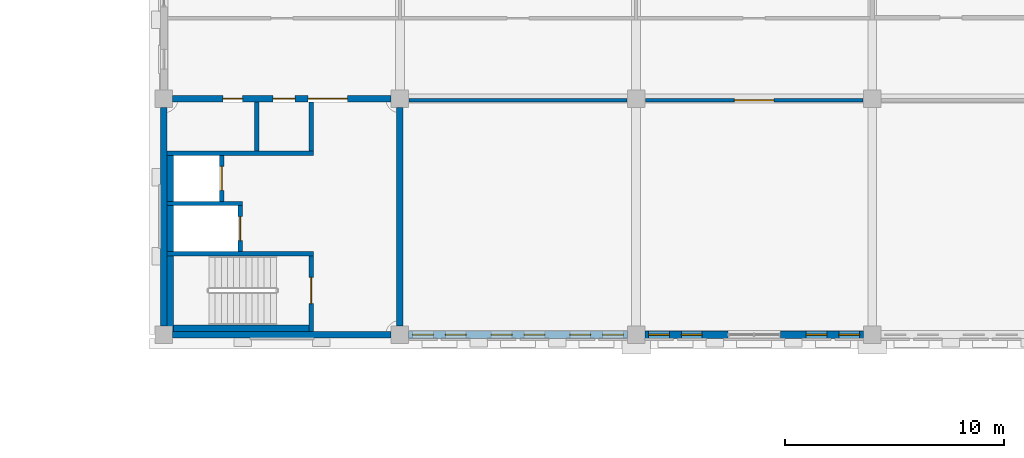
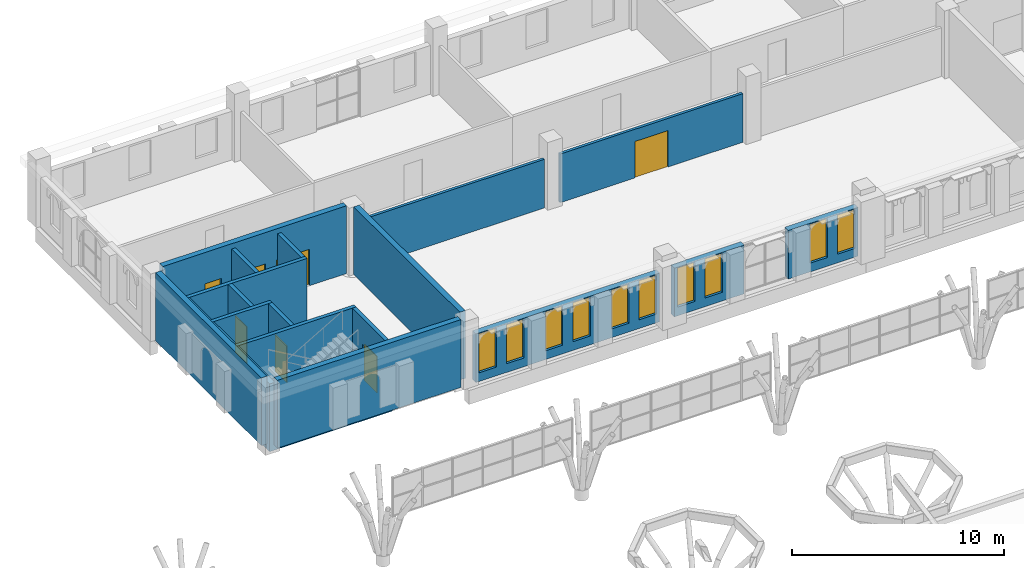
# One storey, part 32 of 42: 21 walls, 10 windows, 7 doors, 17 openings.
"""IFC4 building model written with IfcOpenShell, lengths in metres."""

from ifc_helpers import new_model, si_unit, direction, frame, frame_2d, origin, place, context, subcontext, project, spatial, rectangle, extrude, material, layer, layer_set, type_object, element, fill, save


model = new_model("IFC4")

# Units and contexts
model_context = context("Model", 3, precision=1e-05, world=origin(), true_north=direction((0.0, 1.0)))
body_context = subcontext(model_context, "Body", "Model", "MODEL_VIEW")
ifc_project = project(units=[si_unit("LENGTHUNIT", "METRE"), si_unit("AREAUNIT", "SQUARE_METRE"), si_unit("VOLUMEUNIT", "CUBIC_METRE"), si_unit("PLANEANGLEUNIT", "RADIAN"), si_unit("MASSUNIT", "GRAM", prefix="KILO")], contexts=[model_context])

# Site, building, storey
site_placement = place(None, origin())
site = spatial("IfcSite", under=ifc_project, at=site_placement, CompositionType="ELEMENT")
building_placement = place(site_placement, origin())
building = spatial("IfcBuilding", under=site, at=building_placement, Name="Magnolia Steps Interchange", CompositionType="ELEMENT")
storey_placement = place(building_placement, frame((0.0, 0.0, 12.60009765625)))
storey = spatial("IfcBuildingStorey", under=building, at=storey_placement, Name="L03", CompositionType="ELEMENT", Elevation=12.60009765625)

# Wall, opening, door
ifc_material_1 = material(Name="Concrete C35", Category="concrete")
ifc_layer_1 = layer(ifc_material_1, 0.199951171875)
ifc_layer_set_1 = layer_set([ifc_layer_1], Name="Core enclosure wall 200")
wall_type_1 = type_object("IfcWallType", Name="Core enclosure wall 200", PredefinedType="SOLIDWALL", material=ifc_layer_set_1)
wall_1_placement = place(storey_placement, frame((70.75, 96.550048828125, 0.0), z_axis=(0.0, 0.0, 1.0), x_axis=(0.0, 1.0, 0.0)))
wall_1 = element("IfcWall", 1, at=wall_1_placement, inside=storey, type_object=wall_type_1, Name="L03 OC-W enclosure wall", PredefinedType="SOLIDWALL", context=body_context, shape_type="SweptSolid", body=[
    extrude(rectangle(XDim=3.449951171875, YDim=0.199951171875, at=frame_2d((1.72509765625, 0.0))), origin(), (0.0, 0.0, 1.0), 3.599853515625),
])
opening_1_placement = place(wall_1_placement, frame((1.27490234375, 0.0, 0.0)))
opening_1 = element("IfcOpeningElement", 2, at=opening_1_placement, cuts=wall_1, Name="Opening D-OC-W-L03-1", PredefinedType="OPENING", context=body_context, shape_type="SweptSolid", body=[
    extrude(rectangle(XDim=1.199951171875, YDim=2.10009765625, at=frame_2d((0.60009765625, 1.050048828125))), frame((0.0, 0.10986328125, 0.0), z_axis=(0.0, -1.0, 0.0), x_axis=(1.0, 0.0, 0.0)), (0.0, 0.0, 1.0), 0.219970703125),
])
ifc_material_2 = material(Name="Painted steel", Category="steel")
door_type_1 = type_object("IfcDoorType", Name="Stair fire door 1200x2100", OperationType="NOTDEFINED", PredefinedType="DOOR", material=ifc_material_2)
door_1_placement = place(opening_1_placement, frame((1.199951171875, 0.0, 0.0), z_axis=(0.0, 0.0, 1.0), x_axis=(-1.0, 0.0, 0.0)))
door_1 = element("IfcDoor", 3, at=door_1_placement, inside=storey, type_object=door_type_1, Name="Stair door ST28 L03", OperationType="SINGLE_SWING_LEFT", OverallHeight=2.10009765625, OverallWidth=1.199951171875, PredefinedType="DOOR", context=body_context, shape_type="SweptSolid", body=[
    extrude(rectangle(XDim=1.199951171875, YDim=2.10009765625, at=frame_2d((0.60009765625, 1.050048828125))), frame((0.0, 0.02490234375, 0.0), z_axis=(0.0, -1.0, 0.0), x_axis=(1.0, 0.0, 0.0)), (0.0, 0.0, 1.0), 0.050048828125),
])
fill(opening_1, door_1)

# Wall
wall_2_placement = place(storey_placement, frame((70.85009765625, 100.10009765625, 0.0), z_axis=(0.0, 0.0, 1.0), x_axis=(-1.0, 0.0, 0.0)))
element("IfcWall", 4, at=wall_2_placement, inside=storey, type_object=wall_type_1, Name="L03 OC-W enclosure wall", PredefinedType="SOLIDWALL", context=body_context, shape_type="SweptSolid", body=[
    extrude(rectangle(XDim=6.7001953125, YDim=0.199951171875, at=frame_2d((3.35009765625, 0.0))), origin(), (0.0, 0.0, 1.0), 3.599853515625),
])

# Wall, opening, door
wall_3_placement = place(storey_placement, frame((67.5, 100.199951171875, 0.0), z_axis=(0.0, 0.0, 1.0), x_axis=(0.0, 1.0, 0.0)))
wall_3 = element("IfcWall", 5, at=wall_3_placement, inside=storey, type_object=wall_type_1, Name="L03 OC-W enclosure wall", PredefinedType="SOLIDWALL", context=body_context, shape_type="SweptSolid", body=[
    extrude(rectangle(XDim=2.10009765625, YDim=0.199951171875, at=frame_2d((1.050048828125, 0.0))), origin(), (0.0, 0.0, 1.0), 3.599853515625),
])
opening_2_placement = place(wall_3_placement, frame((0.5, 0.0, 0.0)))
opening_2 = element("IfcOpeningElement", 6, at=opening_2_placement, cuts=wall_3, Name="Opening LD", PredefinedType="OPENING", context=body_context, shape_type="SweptSolid", body=[
    extrude(rectangle(XDim=1.10009765625, YDim=2.10009765625, at=frame_2d((0.550048828125, 1.050048828125))), frame((0.0, 0.10986328125, 0.0), z_axis=(0.0, -1.0, 0.0), x_axis=(1.0, 0.0, 0.0)), (0.0, 0.0, 1.0), 0.219970703125),
])
ifc_material_3 = material(Name="Stainless steel grade 304", Category="steel")
door_type_2 = type_object("IfcDoorType", Name="Lift landing door 1100x2100", OperationType="DOUBLE_DOOR_SLIDING", PredefinedType="DOOR", material=ifc_material_3)
door_2_placement = place(opening_2_placement, frame((1.10009765625, 0.0, 0.0), z_axis=(0.0, 0.0, 1.0), x_axis=(-1.0, 0.0, 0.0)))
door_2 = element("IfcDoor", 7, at=door_2_placement, inside=storey, type_object=door_type_2, Name="Lift landing door LF15 L03", OperationType="DOUBLE_DOOR_SLIDING", OverallHeight=2.10009765625, OverallWidth=1.10009765625, PredefinedType="DOOR", context=body_context, shape_type="SweptSolid", body=[
    extrude(rectangle(XDim=1.10009765625, YDim=2.10009765625, at=frame_2d((0.550048828125, 1.050048828125))), frame((0.0, 0.02490234375, 0.0), z_axis=(0.0, -1.0, 0.0), x_axis=(1.0, 0.0, 0.0)), (0.0, 0.0, 1.0), 0.050048828125),
])
fill(opening_2, door_2)

# Wall
wall_4_placement = place(storey_placement, frame((67.60009765625, 102.39990234375, 0.0), z_axis=(0.0, 0.0, 1.0), x_axis=(-1.0, 0.0, 0.0)))
element("IfcWall", 8, at=wall_4_placement, inside=storey, type_object=wall_type_1, Name="L03 OC-W enclosure wall", PredefinedType="SOLIDWALL", context=body_context, shape_type="SweptSolid", body=[
    extrude(rectangle(XDim=3.4501953125, YDim=0.199951171875, at=frame_2d((1.72509765625, 0.0))), origin(), (0.0, 0.0, 1.0), 3.599853515625),
])

# Wall, opening, door
wall_5_placement = place(storey_placement, frame((66.64990234375, 102.5, 0.0), z_axis=(0.0, 0.0, 1.0), x_axis=(0.0, 1.0, 0.0)))
wall_5 = element("IfcWall", 9, at=wall_5_placement, inside=storey, type_object=wall_type_1, Name="L03 OC-W enclosure wall", PredefinedType="SOLIDWALL", context=body_context, shape_type="SweptSolid", body=[
    extrude(rectangle(XDim=2.10009765625, YDim=0.199951171875, at=frame_2d((1.050048828125, 0.0))), origin(), (0.0, 0.0, 1.0), 3.599853515625),
])
opening_3_placement = place(wall_5_placement, frame((0.5, 0.0, 0.0)))
opening_3 = element("IfcOpeningElement", 10, at=opening_3_placement, cuts=wall_5, Name="Opening LD", PredefinedType="OPENING", context=body_context, shape_type="SweptSolid", body=[
    extrude(rectangle(XDim=1.10009765625, YDim=2.10009765625, at=frame_2d((0.550048828125, 1.050048828125))), frame((0.0, 0.10986328125, 0.0), z_axis=(0.0, -1.0, 0.0), x_axis=(1.0, 0.0, 0.0)), (0.0, 0.0, 1.0), 0.219970703125),
])
door_3_placement = place(opening_3_placement, frame((1.10009765625, 0.0, 0.0), z_axis=(0.0, 0.0, 1.0), x_axis=(-1.0, 0.0, 0.0)))
door_3 = element("IfcDoor", 11, at=door_3_placement, inside=storey, type_object=door_type_2, Name="Lift landing door LF16 L03", OperationType="DOUBLE_DOOR_SLIDING", OverallHeight=2.10009765625, OverallWidth=1.10009765625, PredefinedType="DOOR", context=body_context, shape_type="SweptSolid", body=[
    extrude(rectangle(XDim=1.10009765625, YDim=2.10009765625, at=frame_2d((0.550048828125, 1.050048828125))), frame((0.0, 0.02490234375, 0.0), z_axis=(0.0, -1.0, 0.0), x_axis=(1.0, 0.0, 0.0)), (0.0, 0.0, 1.0), 0.050048828125),
])
fill(opening_3, door_3)

# Walls
wall_6_placement = place(storey_placement, frame((70.85009765625, 104.699951171875, 0.0), z_axis=(0.0, 0.0, 1.0), x_axis=(-1.0, 0.0, 0.0)))
element("IfcWall", 12, at=wall_6_placement, inside=storey, type_object=wall_type_1, Name="L03 OC-W enclosure wall", PredefinedType="SOLIDWALL", context=body_context, shape_type="SweptSolid", body=[
    extrude(rectangle(XDim=6.7001953125, YDim=0.199951171875, at=frame_2d((3.35009765625, 0.0))), origin(), (0.0, 0.0, 1.0), 3.599853515625),
])
wall_7_placement = place(storey_placement, frame((70.75, 104.800048828125, 0.0), z_axis=(0.0, 0.0, 1.0), x_axis=(0.0, 1.0, 0.0)))
element("IfcWall", 13, at=wall_7_placement, inside=storey, type_object=wall_type_1, Name="L03 OC-W enclosure wall", PredefinedType="SOLIDWALL", context=body_context, shape_type="SweptSolid", body=[
    extrude(rectangle(XDim=2.25, YDim=0.199951171875, at=frame_2d((1.125, 0.0))), origin(), (0.0, 0.0, 1.0), 3.599853515625),
])
ifc_material_4 = material(Name="Concrete C35", Category="concrete")
ifc_layer_2 = layer(ifc_material_4, 0.300048828125)
ifc_layer_set_2 = layer_set([ifc_layer_2], Name="Core lining wall 300")
wall_type_2 = type_object("IfcWallType", Name="Core lining wall 300", PredefinedType="SOLIDWALL", material=ifc_layer_set_2)
wall_8_placement = place(storey_placement, frame((70.85009765625, 96.699951171875, -0.300048828125), z_axis=(0.0, 0.0, 1.0), x_axis=(-1.0, 0.0, 0.0)))
element("IfcWall", 14, at=wall_8_placement, inside=storey, type_object=wall_type_2, Name="L03 OC-W stair lining wall", PredefinedType="SOLIDWALL", context=body_context, shape_type="SweptSolid", body=[
    extrude(rectangle(XDim=6.7001953125, YDim=0.300048828125, at=frame_2d((3.35009765625, 0.0))), origin(), (0.0, 0.0, 1.0), 3.89990234375),
])
wall_9_placement = place(storey_placement, frame((64.300048828125, 96.550048828125, -0.300048828125), z_axis=(0.0, 0.0, 1.0), x_axis=(0.0, 1.0, 0.0)))
element("IfcWall", 15, at=wall_9_placement, inside=storey, type_object=wall_type_2, Name="L03 OC-W stair lining wall", PredefinedType="SOLIDWALL", context=body_context, shape_type="SweptSolid", body=[
    extrude(rectangle(XDim=3.449951171875, YDim=0.300048828125, at=frame_2d((1.72509765625, 0.0))), origin(), (0.0, 0.0, 1.0), 3.89990234375),
])
for number, where, z_axis, x_axis, name in (
    (16, (64.300048828125, 100.199951171875, -0.300048828125), (0.0, 0.0, 1.0), (0.0, 1.0, 0.0), "L03 OC-W stair lining wall"),
    (17, (64.300048828125, 102.5, -0.300048828125), (0.0, 0.0, 1.0), (0.0, 1.0, 0.0), "L03 OC-W stair lining wall"),
):
    element("IfcWall", number, at=place(storey_placement, frame(where, z_axis=z_axis, x_axis=x_axis)), inside=storey, type_object=wall_type_2, Name=name, PredefinedType="SOLIDWALL", context=body_context, shape_type="SweptSolid", body=[
        extrude(rectangle(XDim=2.10009765625, YDim=0.300048828125, at=frame_2d((1.050048828125, 0.0))), origin(), (0.0, 0.0, 1.0), 3.89990234375),
    ])
ifc_material_5 = material(Name="Fair-faced blockwork", Category="masonry")
ifc_layer_3 = layer(ifc_material_5, 0.199951171875)
ifc_layer_set_3 = layer_set([ifc_layer_3], Name="Core partition 200")
wall_type_3 = type_object("IfcWallType", Name="Core partition 200", PredefinedType="PARTITIONING", material=ifc_layer_set_3)
wall_10_placement = place(storey_placement, frame((68.25, 104.800048828125, 0.0), z_axis=(0.0, 0.0, 1.0), x_axis=(0.0, 1.0, 0.0)))
element("IfcWall", 18, at=wall_10_placement, inside=storey, type_object=wall_type_3, Name="L03 OC-W toilet partition", PredefinedType="PARTITIONING", context=body_context, shape_type="SweptSolid", body=[
    extrude(rectangle(XDim=2.25, YDim=0.199951171875, at=frame_2d((1.125, 0.0))), origin(), (0.0, 0.0, 1.0), 3.599853515625),
])
ifc_material_6 = material(Name="Concrete C40", Category="concrete")
ifc_layer_4 = layer(ifc_material_6, 0.300048828125)
ifc_layer_set_4 = layer_set([ifc_layer_4], Name="Core wall 300")
wall_type_4 = type_object("IfcWallType", Name="Core wall 300", PredefinedType="SOLIDWALL", material=ifc_layer_set_4)
for number, where, z_axis, x_axis, name in (
    (19, (64.39990234375, 96.39990234375, 0.0), (0.0, 0.0, 1.0), (1.0, 0.0, 0.0), "Core wall OC-W"),
    (20, (74.800048828125, 96.800048828125, 0.0), (0.0, 0.0, 1.0), (0.0, 1.0, 0.0), "Core wall OC-W"),
):
    element("IfcWall", number, at=place(storey_placement, frame(where, z_axis=z_axis, x_axis=x_axis)), inside=storey, type_object=wall_type_4, Name=name, PredefinedType="SOLIDWALL", context=body_context, shape_type="SweptSolid", body=[
        extrude(rectangle(XDim=10.0, YDim=0.300048828125, at=frame_2d((5.0, 0.0))), origin(), (0.0, 0.0, 1.0), 3.89990234375),
    ])

# Wall, openings, doors
wall_11_placement = place(storey_placement, frame((74.39990234375, 107.199951171875, 0.0), z_axis=(0.0, 0.0, 1.0), x_axis=(-1.0, 0.0, 0.0)))
wall_11 = element("IfcWall", 21, at=wall_11_placement, inside=storey, type_object=wall_type_4, Name="Core wall OC-W", PredefinedType="SOLIDWALL", context=body_context, shape_type="SweptSolid", body=[
    extrude(rectangle(XDim=10.0, YDim=0.300048828125, at=frame_2d((5.0, 0.0))), origin(), (0.0, 0.0, 1.0), 3.89990234375),
])
opening_4_placement = place(wall_11_placement, frame((2.0, 0.0, 0.0)))
opening_4 = element("IfcOpeningElement", 22, at=opening_4_placement, cuts=wall_11, Name="Opening D-OC-W-L03-2", PredefinedType="OPENING", context=body_context, shape_type="SweptSolid", body=[
    extrude(rectangle(XDim=1.800048828125, YDim=2.10009765625, at=frame_2d((0.89990234375, 1.050048828125))), frame((0.0, 0.159912109375, 0.0), z_axis=(0.0, -1.0, 0.0), x_axis=(1.0, 0.0, 0.0)), (0.0, 0.0, 1.0), 0.320068359375),
])
opening_5_placement = place(wall_11_placement, frame((4.39990234375, 0.0, 0.0)))
opening_5 = element("IfcOpeningElement", 23, at=opening_5_placement, cuts=wall_11, Name="Opening D-OC-W-L03-3", PredefinedType="OPENING", context=body_context, shape_type="SweptSolid", body=[
    extrude(rectangle(XDim=1.0, YDim=2.10009765625, at=frame_2d((0.5, 1.050048828125))), frame((0.0, 0.159912109375, 0.0), z_axis=(0.0, -1.0, 0.0), x_axis=(1.0, 0.0, 0.0)), (0.0, 0.0, 1.0), 0.320068359375),
])
opening_6_placement = place(wall_11_placement, frame((6.800048828125, 0.0, 0.0)))
opening_6 = element("IfcOpeningElement", 24, at=opening_6_placement, cuts=wall_11, Name="Opening D-OC-W-L03-4", PredefinedType="OPENING", context=body_context, shape_type="SweptSolid", body=[
    extrude(rectangle(XDim=0.89990234375, YDim=2.10009765625, at=frame_2d((0.449951171875, 1.050048828125))), frame((0.0, 0.159912109375, 0.0), z_axis=(0.0, -1.0, 0.0), x_axis=(1.0, 0.0, 0.0)), (0.0, 0.0, 1.0), 0.320068359375),
])
ifc_material_7 = material(Name="Timber", Category="wood")
door_type_3 = type_object("IfcDoorType", Name="Accessible toilet door 1000x2100", OperationType="NOTDEFINED", PredefinedType="DOOR", material=ifc_material_7)
door_4_placement = place(opening_5_placement, origin())
door_4 = element("IfcDoor", 25, at=door_4_placement, inside=storey, type_object=door_type_3, Name="Accessible Toilet door OC-W L03", OperationType="SINGLE_SWING_LEFT", OverallHeight=2.10009765625, OverallWidth=1.0, PredefinedType="DOOR", context=body_context, shape_type="SweptSolid", body=[
    extrude(rectangle(XDim=1.0, YDim=2.10009765625, at=frame_2d((0.5, 1.050048828125))), frame((0.0, 0.02490234375, 0.0), z_axis=(0.0, -1.0, 0.0), x_axis=(1.0, 0.0, 0.0)), (0.0, 0.0, 1.0), 0.050048828125),
])
fill(opening_5, door_4)
ifc_material_8 = material(Name="Timber and glass", Category="wood")
door_type_4 = type_object("IfcDoorType", Name="Core entrance door pair 1800x2100", OperationType="DOUBLE_DOOR_DOUBLE_SWING", PredefinedType="DOOR", material=ifc_material_8)
door_5_placement = place(opening_4_placement, frame((1.800048828125, 0.0, 0.0), z_axis=(0.0, 0.0, 1.0), x_axis=(-1.0, 0.0, 0.0)))
door_5 = element("IfcDoor", 26, at=door_5_placement, inside=storey, type_object=door_type_4, Name="Core entrance door OC-W L03", OperationType="DOUBLE_DOOR_DOUBLE_SWING", OverallHeight=2.10009765625, OverallWidth=1.800048828125, PredefinedType="DOOR", context=body_context, shape_type="SweptSolid", body=[
    extrude(rectangle(XDim=1.800048828125, YDim=2.10009765625, at=frame_2d((0.89990234375, 1.050048828125))), frame((0.0, 0.02490234375, 0.0), z_axis=(0.0, -1.0, 0.0), x_axis=(1.0, 0.0, 0.0)), (0.0, 0.0, 1.0), 0.050048828125),
])
fill(opening_4, door_5)
ifc_material_9 = material(Name="Timber", Category="wood")
door_type_5 = type_object("IfcDoorType", Name="Toilet door 900x2100", OperationType="NOTDEFINED", PredefinedType="DOOR", material=ifc_material_9)
door_6_placement = place(opening_6_placement, origin())
door_6 = element("IfcDoor", 27, at=door_6_placement, inside=storey, type_object=door_type_5, Name="Public Toilets door OC-W L03", OperationType="SINGLE_SWING_RIGHT", OverallHeight=2.10009765625, OverallWidth=0.89990234375, PredefinedType="DOOR", context=body_context, shape_type="SweptSolid", body=[
    extrude(rectangle(XDim=0.89990234375, YDim=2.10009765625, at=frame_2d((0.449951171875, 1.050048828125))), frame((0.0, 0.02490234375, 0.0), z_axis=(0.0, -1.0, 0.0), x_axis=(1.0, 0.0, 0.0)), (0.0, 0.0, 1.0), 0.050048828125),
])
fill(opening_6, door_6)

# Wall
wall_12_placement = place(storey_placement, frame((64.0, 106.800048828125, 0.0), z_axis=(0.0, 0.0, 1.0), x_axis=(0.0, -1.0, 0.0)))
element("IfcWall", 28, at=wall_12_placement, inside=storey, type_object=wall_type_4, Name="Core wall OC-W", PredefinedType="SOLIDWALL", context=body_context, shape_type="SweptSolid", body=[
    extrude(rectangle(XDim=10.0, YDim=0.300048828125, at=frame_2d((5.0, 0.0))), origin(), (0.0, 0.0, 1.0), 3.89990234375),
])

# Wall, openings, windows
ifc_material_10 = material(Name="Lime render on masonry", Category="masonry")
ifc_layer_5 = layer(ifc_material_10, 0.324951171875)
ifc_layer_set_5 = layer_set([ifc_layer_5], Name="Lime render wall 325")
wall_type_5 = type_object("IfcWallType", Name="Lime render wall 325", PredefinedType="SOLIDWALL", material=ifc_layer_set_5)
wall_13_placement = place(storey_placement, frame((75.199951171875, 96.39990234375, 0.0), z_axis=(0.0, 0.0, 1.0), x_axis=(1.0, 0.0, 0.0)))
wall_13 = element("IfcWall", 29, at=wall_13_placement, inside=storey, type_object=wall_type_5, Name="Operations building south wall L03 pier 1", PredefinedType="SOLIDWALL", context=body_context, shape_type="SweptSolid", body=[
    extrude(rectangle(XDim=10.0, YDim=0.324951171875, at=frame_2d((5.0, 0.0))), origin(), (0.0, 0.0, 1.0), 2.7998046875),
])
opening_7_placement = place(wall_13_placement, frame((0.175048828125, 0.0, 0.5)))
opening_7 = element("IfcOpeningElement", 30, at=opening_7_placement, cuts=wall_13, Name="Opening WN13", PredefinedType="OPENING", context=body_context, shape_type="SweptSolid", body=[
    extrude(rectangle(XDim=0.949951171875, YDim=2.25, at=frame_2d((0.47509765625, 1.125))), frame((0.0, 0.17236328125, 0.0), z_axis=(0.0, -1.0, 0.0), x_axis=(1.0, 0.0, 0.0)), (0.0, 0.0, 1.0), 0.344970703125),
])
opening_8_placement = place(wall_13_placement, frame((3.77490234375, 0.0, 0.5)))
opening_8 = element("IfcOpeningElement", 31, at=opening_8_placement, cuts=wall_13, Name="Opening WN13", PredefinedType="OPENING", context=body_context, shape_type="SweptSolid", body=[
    extrude(rectangle(XDim=0.949951171875, YDim=2.25, at=frame_2d((0.47509765625, 1.125))), frame((0.0, 0.17236328125, 0.0), z_axis=(0.0, -1.0, 0.0), x_axis=(1.0, 0.0, 0.0)), (0.0, 0.0, 1.0), 0.344970703125),
])
opening_9_placement = place(wall_13_placement, frame((7.375, 0.0, 0.5)))
opening_9 = element("IfcOpeningElement", 32, at=opening_9_placement, cuts=wall_13, Name="Opening WN13", PredefinedType="OPENING", context=body_context, shape_type="SweptSolid", body=[
    extrude(rectangle(XDim=0.949951171875, YDim=2.25, at=frame_2d((0.47509765625, 1.125))), frame((0.0, 0.17236328125, 0.0), z_axis=(0.0, -1.0, 0.0), x_axis=(1.0, 0.0, 0.0)), (0.0, 0.0, 1.0), 0.344970703125),
])
opening_10_placement = place(wall_13_placement, frame((1.675048828125, 0.0, 0.5)))
opening_10 = element("IfcOpeningElement", 33, at=opening_10_placement, cuts=wall_13, Name="Opening WN13", PredefinedType="OPENING", context=body_context, shape_type="SweptSolid", body=[
    extrude(rectangle(XDim=0.949951171875, YDim=2.25, at=frame_2d((0.47509765625, 1.125))), frame((0.0, 0.17236328125, 0.0), z_axis=(0.0, -1.0, 0.0), x_axis=(1.0, 0.0, 0.0)), (0.0, 0.0, 1.0), 0.344970703125),
])
opening_11_placement = place(wall_13_placement, frame((5.27490234375, 0.0, 0.5)))
opening_11 = element("IfcOpeningElement", 34, at=opening_11_placement, cuts=wall_13, Name="Opening WN13", PredefinedType="OPENING", context=body_context, shape_type="SweptSolid", body=[
    extrude(rectangle(XDim=0.949951171875, YDim=2.25, at=frame_2d((0.47509765625, 1.125))), frame((0.0, 0.17236328125, 0.0), z_axis=(0.0, -1.0, 0.0), x_axis=(1.0, 0.0, 0.0)), (0.0, 0.0, 1.0), 0.344970703125),
])
opening_12_placement = place(wall_13_placement, frame((8.875, 0.0, 0.5)))
opening_12 = element("IfcOpeningElement", 35, at=opening_12_placement, cuts=wall_13, Name="Opening WN13", PredefinedType="OPENING", context=body_context, shape_type="SweptSolid", body=[
    extrude(rectangle(XDim=0.949951171875, YDim=2.25, at=frame_2d((0.47509765625, 1.125))), frame((0.0, 0.17236328125, 0.0), z_axis=(0.0, -1.0, 0.0), x_axis=(1.0, 0.0, 0.0)), (0.0, 0.0, 1.0), 0.344970703125),
])
ifc_material_11 = material(Name="Timber frame with double glazing", Category="wood")
window_type = type_object("IfcWindowType", Name="Paired piano nobile window 950 x 2250", PartitioningType="DOUBLE_PANEL_VERTICAL", PredefinedType="WINDOW", material=ifc_material_11)
window_1_placement = place(opening_7_placement, origin())
window_1 = element("IfcWindow", 36, at=window_1_placement, inside=storey, type_object=window_type, Name="Paired window L03 south 1a", OverallHeight=2.25, OverallWidth=0.949951171875, PartitioningType="SINGLE_PANEL", PredefinedType="WINDOW", context=body_context, shape_type="SweptSolid", body=[
    extrude(rectangle(XDim=0.949951171875, YDim=2.25, at=frame_2d((0.47509765625, 1.125))), frame((0.0, 0.030029296875, 0.0), z_axis=(0.0, -1.0, 0.0), x_axis=(1.0, 0.0, 0.0)), (0.0, 0.0, 1.0), 0.06005859375),
])
fill(opening_7, window_1)
window_2_placement = place(opening_8_placement, origin())
window_2 = element("IfcWindow", 37, at=window_2_placement, inside=storey, type_object=window_type, Name="Paired window L03 south 2a", OverallHeight=2.25, OverallWidth=0.949951171875, PartitioningType="SINGLE_PANEL", PredefinedType="WINDOW", context=body_context, shape_type="SweptSolid", body=[
    extrude(rectangle(XDim=0.949951171875, YDim=2.25, at=frame_2d((0.47509765625, 1.125))), frame((0.0, 0.030029296875, 0.0), z_axis=(0.0, -1.0, 0.0), x_axis=(1.0, 0.0, 0.0)), (0.0, 0.0, 1.0), 0.06005859375),
])
fill(opening_8, window_2)
window_3_placement = place(opening_9_placement, origin())
window_3 = element("IfcWindow", 38, at=window_3_placement, inside=storey, type_object=window_type, Name="Paired window L03 south 3a", OverallHeight=2.25, OverallWidth=0.949951171875, PartitioningType="SINGLE_PANEL", PredefinedType="WINDOW", context=body_context, shape_type="SweptSolid", body=[
    extrude(rectangle(XDim=0.949951171875, YDim=2.25, at=frame_2d((0.47509765625, 1.125))), frame((0.0, 0.030029296875, 0.0), z_axis=(0.0, -1.0, 0.0), x_axis=(1.0, 0.0, 0.0)), (0.0, 0.0, 1.0), 0.06005859375),
])
fill(opening_9, window_3)
window_4_placement = place(opening_10_placement, origin())
window_4 = element("IfcWindow", 39, at=window_4_placement, inside=storey, type_object=window_type, Name="Paired window L03 south 1b", OverallHeight=2.25, OverallWidth=0.949951171875, PartitioningType="SINGLE_PANEL", PredefinedType="WINDOW", context=body_context, shape_type="SweptSolid", body=[
    extrude(rectangle(XDim=0.949951171875, YDim=2.25, at=frame_2d((0.47509765625, 1.125))), frame((0.0, 0.030029296875, 0.0), z_axis=(0.0, -1.0, 0.0), x_axis=(1.0, 0.0, 0.0)), (0.0, 0.0, 1.0), 0.06005859375),
])
fill(opening_10, window_4)
window_5_placement = place(opening_11_placement, origin())
window_5 = element("IfcWindow", 40, at=window_5_placement, inside=storey, type_object=window_type, Name="Paired window L03 south 2b", OverallHeight=2.25, OverallWidth=0.949951171875, PartitioningType="SINGLE_PANEL", PredefinedType="WINDOW", context=body_context, shape_type="SweptSolid", body=[
    extrude(rectangle(XDim=0.949951171875, YDim=2.25, at=frame_2d((0.47509765625, 1.125))), frame((0.0, 0.030029296875, 0.0), z_axis=(0.0, -1.0, 0.0), x_axis=(1.0, 0.0, 0.0)), (0.0, 0.0, 1.0), 0.06005859375),
])
fill(opening_11, window_5)
window_6_placement = place(opening_12_placement, origin())
window_6 = element("IfcWindow", 41, at=window_6_placement, inside=storey, type_object=window_type, Name="Paired window L03 south 3b", OverallHeight=2.25, OverallWidth=0.949951171875, PartitioningType="SINGLE_PANEL", PredefinedType="WINDOW", context=body_context, shape_type="SweptSolid", body=[
    extrude(rectangle(XDim=0.949951171875, YDim=2.25, at=frame_2d((0.47509765625, 1.125))), frame((0.0, 0.030029296875, 0.0), z_axis=(0.0, -1.0, 0.0), x_axis=(1.0, 0.0, 0.0)), (0.0, 0.0, 1.0), 0.06005859375),
])
fill(opening_12, window_6)

wall_14_placement = place(storey_placement, frame((86.0, 96.39990234375, 0.0), z_axis=(0.0, 0.0, 1.0), x_axis=(1.0, 0.0, 0.0)))
wall_14 = element("IfcWall", 42, at=wall_14_placement, inside=storey, type_object=wall_type_5, Name="Operations building south wall L03 pier 1", PredefinedType="SOLIDWALL", context=body_context, shape_type="SweptSolid", body=[
    extrude(rectangle(XDim=3.800048828125, YDim=0.324951171875, at=frame_2d((1.89990234375, 0.0))), origin(), (0.0, 0.0, 1.0), 2.7998046875),
])
opening_13_placement = place(wall_14_placement, frame((0.175048828125, 0.0, 0.5)))
opening_13 = element("IfcOpeningElement", 43, at=opening_13_placement, cuts=wall_14, Name="Opening WN13", PredefinedType="OPENING", context=body_context, shape_type="SweptSolid", body=[
    extrude(rectangle(XDim=0.949951171875, YDim=2.25, at=frame_2d((0.47509765625, 1.125))), frame((0.0, 0.17236328125, 0.0), z_axis=(0.0, -1.0, 0.0), x_axis=(1.0, 0.0, 0.0)), (0.0, 0.0, 1.0), 0.344970703125),
])
opening_14_placement = place(wall_14_placement, frame((1.675048828125, 0.0, 0.5)))
opening_14 = element("IfcOpeningElement", 44, at=opening_14_placement, cuts=wall_14, Name="Opening WN13", PredefinedType="OPENING", context=body_context, shape_type="SweptSolid", body=[
    extrude(rectangle(XDim=0.949951171875, YDim=2.25, at=frame_2d((0.47509765625, 1.125))), frame((0.0, 0.17236328125, 0.0), z_axis=(0.0, -1.0, 0.0), x_axis=(1.0, 0.0, 0.0)), (0.0, 0.0, 1.0), 0.344970703125),
])
window_7_placement = place(opening_13_placement, origin())
window_7 = element("IfcWindow", 45, at=window_7_placement, inside=storey, type_object=window_type, Name="Paired window L03 south 4a", OverallHeight=2.25, OverallWidth=0.949951171875, PartitioningType="SINGLE_PANEL", PredefinedType="WINDOW", context=body_context, shape_type="SweptSolid", body=[
    extrude(rectangle(XDim=0.949951171875, YDim=2.25, at=frame_2d((0.47509765625, 1.125))), frame((0.0, 0.030029296875, 0.0), z_axis=(0.0, -1.0, 0.0), x_axis=(1.0, 0.0, 0.0)), (0.0, 0.0, 1.0), 0.06005859375),
])
fill(opening_13, window_7)
window_8_placement = place(opening_14_placement, origin())
window_8 = element("IfcWindow", 46, at=window_8_placement, inside=storey, type_object=window_type, Name="Paired window L03 south 4b", OverallHeight=2.25, OverallWidth=0.949951171875, PartitioningType="SINGLE_PANEL", PredefinedType="WINDOW", context=body_context, shape_type="SweptSolid", body=[
    extrude(rectangle(XDim=0.949951171875, YDim=2.25, at=frame_2d((0.47509765625, 1.125))), frame((0.0, 0.030029296875, 0.0), z_axis=(0.0, -1.0, 0.0), x_axis=(1.0, 0.0, 0.0)), (0.0, 0.0, 1.0), 0.06005859375),
])
fill(opening_14, window_8)

wall_15_placement = place(storey_placement, frame((92.199951171875, 96.39990234375, 0.0), z_axis=(0.0, 0.0, 1.0), x_axis=(1.0, 0.0, 0.0)))
wall_15 = element("IfcWall", 47, at=wall_15_placement, inside=storey, type_object=wall_type_5, Name="Operations building south wall L03 pier 3", PredefinedType="SOLIDWALL", context=body_context, shape_type="SweptSolid", body=[
    extrude(rectangle(XDim=3.800048828125, YDim=0.324951171875, at=frame_2d((1.89990234375, 0.0))), origin(), (0.0, 0.0, 1.0), 2.7998046875),
])
opening_15_placement = place(wall_15_placement, frame((1.175048828125, 0.0, 0.5)))
opening_15 = element("IfcOpeningElement", 48, at=opening_15_placement, cuts=wall_15, Name="Opening WN13", PredefinedType="OPENING", context=body_context, shape_type="SweptSolid", body=[
    extrude(rectangle(XDim=0.949951171875, YDim=2.25, at=frame_2d((0.47509765625, 1.125))), frame((0.0, 0.17236328125, 0.0), z_axis=(0.0, -1.0, 0.0), x_axis=(1.0, 0.0, 0.0)), (0.0, 0.0, 1.0), 0.344970703125),
])
opening_16_placement = place(wall_15_placement, frame((2.675048828125, 0.0, 0.5)))
opening_16 = element("IfcOpeningElement", 49, at=opening_16_placement, cuts=wall_15, Name="Opening WN13", PredefinedType="OPENING", context=body_context, shape_type="SweptSolid", body=[
    extrude(rectangle(XDim=0.949951171875, YDim=2.25, at=frame_2d((0.47509765625, 1.125))), frame((0.0, 0.17236328125, 0.0), z_axis=(0.0, -1.0, 0.0), x_axis=(1.0, 0.0, 0.0)), (0.0, 0.0, 1.0), 0.344970703125),
])
window_9_placement = place(opening_15_placement, origin())
window_9 = element("IfcWindow", 50, at=window_9_placement, inside=storey, type_object=window_type, Name="Paired window L03 south 6a", OverallHeight=2.25, OverallWidth=0.949951171875, PartitioningType="SINGLE_PANEL", PredefinedType="WINDOW", context=body_context, shape_type="SweptSolid", body=[
    extrude(rectangle(XDim=0.949951171875, YDim=2.25, at=frame_2d((0.47509765625, 1.125))), frame((0.0, 0.030029296875, 0.0), z_axis=(0.0, -1.0, 0.0), x_axis=(1.0, 0.0, 0.0)), (0.0, 0.0, 1.0), 0.06005859375),
])
fill(opening_15, window_9)
window_10_placement = place(opening_16_placement, origin())
window_10 = element("IfcWindow", 51, at=window_10_placement, inside=storey, type_object=window_type, Name="Paired window L03 south 6b", OverallHeight=2.25, OverallWidth=0.949951171875, PartitioningType="SINGLE_PANEL", PredefinedType="WINDOW", context=body_context, shape_type="SweptSolid", body=[
    extrude(rectangle(XDim=0.949951171875, YDim=2.25, at=frame_2d((0.47509765625, 1.125))), frame((0.0, 0.030029296875, 0.0), z_axis=(0.0, -1.0, 0.0), x_axis=(1.0, 0.0, 0.0)), (0.0, 0.0, 1.0), 0.06005859375),
])
fill(opening_16, window_10)

# Wall, opening, door
ifc_material_12 = material(Name="Fair-faced blockwork", Category="masonry")
ifc_layer_6 = layer(ifc_material_12, 0.14990234375)
ifc_layer_set_6 = layer_set([ifc_layer_6], Name="Partition wall 150")
wall_type_6 = type_object("IfcWallType", Name="Partition wall 150", PredefinedType="PARTITIONING", material=ifc_layer_set_6)
wall_16_placement = place(storey_placement, frame((86.02001953125, 107.125, 0.0), z_axis=(0.0, 0.0, 1.0), x_axis=(1.0, 0.0, 0.0)))
wall_16 = element("IfcWall", 52, at=wall_16_placement, inside=storey, type_object=wall_type_6, Name="L03 partition 2", PredefinedType="PARTITIONING", context=body_context, shape_type="SweptSolid", body=[
    extrude(rectangle(XDim=9.9599609375, YDim=0.14990234375, at=frame_2d((4.97998046875, 0.0))), origin(), (0.0, 0.0, 1.0), 2.7998046875),
])
opening_17_placement = place(wall_16_placement, frame((4.080078125, 0.0, 0.0)))
opening_17 = element("IfcOpeningElement", 53, at=opening_17_placement, cuts=wall_16, Name="Opening D-L03-1", PredefinedType="OPENING", context=body_context, shape_type="SweptSolid", body=[
    extrude(rectangle(XDim=1.800048828125, YDim=2.10009765625, at=frame_2d((0.89990234375, 1.050048828125))), frame((0.0, 0.0849609375, 0.0), z_axis=(0.0, -1.0, 0.0), x_axis=(1.0, 0.0, 0.0)), (0.0, 0.0, 1.0), 0.169921875),
])
ifc_material_13 = material(Name="Timber", Category="wood")
door_type_6 = type_object("IfcDoorType", Name="Room door pair 1800x2100", OperationType="DOUBLE_DOOR_DOUBLE_SWING", PredefinedType="DOOR", material=ifc_material_13)
door_7_placement = place(opening_17_placement, frame((1.800048828125, 0.0, 0.0), z_axis=(0.0, 0.0, 1.0), x_axis=(-1.0, 0.0, 0.0)))
door_7 = element("IfcDoor", 54, at=door_7_placement, inside=storey, type_object=door_type_6, Name="Open Plan Office door", OperationType="DOUBLE_DOOR_DOUBLE_SWING", OverallHeight=2.10009765625, OverallWidth=1.800048828125, PredefinedType="DOOR", context=body_context, shape_type="SweptSolid", body=[
    extrude(rectangle(XDim=1.800048828125, YDim=2.10009765625, at=frame_2d((0.89990234375, 1.050048828125))), frame((0.0, 0.02490234375, 0.0), z_axis=(0.0, -1.0, 0.0), x_axis=(1.0, 0.0, 0.0)), (0.0, 0.0, 1.0), 0.050048828125),
])
fill(opening_17, door_7)

# Wall
wall_17_placement = place(storey_placement, frame((75.219970703125, 107.125, 0.0), z_axis=(0.0, 0.0, 1.0), x_axis=(1.0, 0.0, 0.0)))
element("IfcWall", 55, at=wall_17_placement, inside=storey, type_object=wall_type_6, Name="L03 partition 3", PredefinedType="PARTITIONING", context=body_context, shape_type="SweptSolid", body=[
    extrude(rectangle(XDim=9.9599609375, YDim=0.14990234375, at=frame_2d((4.97998046875, 0.0))), origin(), (0.0, 0.0, 1.0), 2.7998046875),
])

save(model, "model.ifc")
